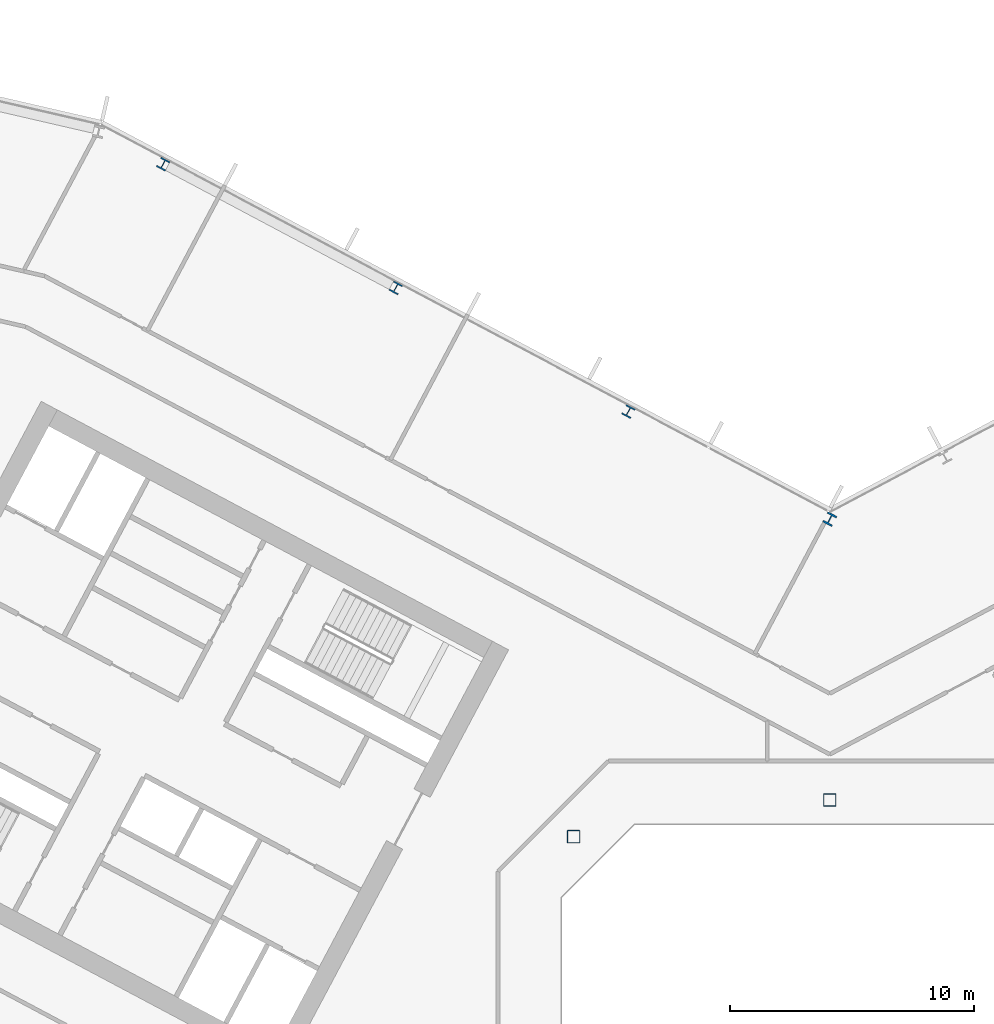
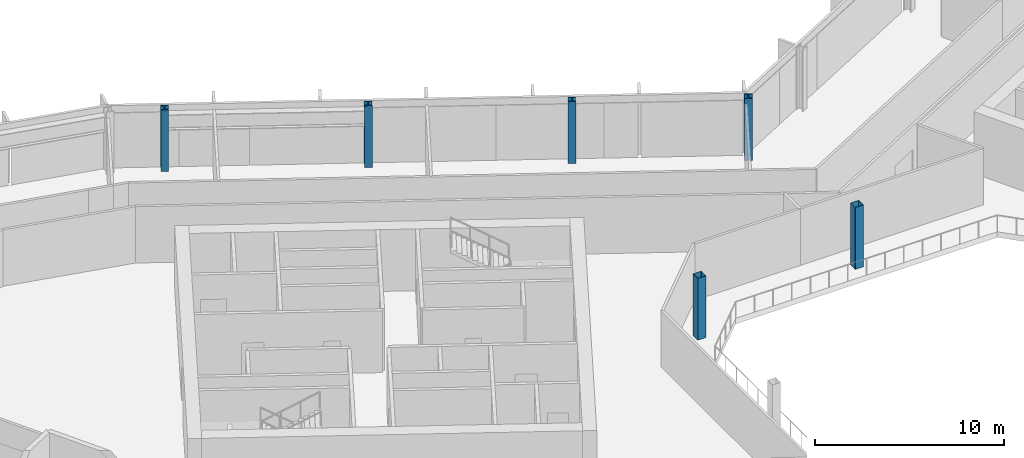
# One storey, part 4 of 28: 6 columns.
"""IFC4 building model written with IfcOpenShell, lengths in metres."""

from ifc_helpers import new_model, si_unit, direction, frame, origin, origin_2d, place, context, subcontext, project, spatial, hollow_rectangle, i_section, extrude, material, material_profile, profile_set, type_object, element, save


model = new_model("IFC4")

# Units and contexts
model_context = context("Model", 3, precision=1e-05, world=origin(), true_north=direction((0.0, 1.0)))
body_context = subcontext(model_context, "Body", "Model", "MODEL_VIEW")
ifc_project = project(units=[si_unit("LENGTHUNIT", "METRE"), si_unit("AREAUNIT", "SQUARE_METRE"), si_unit("VOLUMEUNIT", "CUBIC_METRE"), si_unit("PLANEANGLEUNIT", "RADIAN"), si_unit("MASSUNIT", "GRAM", prefix="KILO")], contexts=[model_context])

# Site, building, storey
site_placement = place(None, origin())
site = spatial("IfcSite", under=ifc_project, at=site_placement, CompositionType="ELEMENT")
building_placement = place(site_placement, origin())
building = spatial("IfcBuilding", under=site, at=building_placement, Name="Cormorant Relay Tower", CompositionType="ELEMENT")
storey_placement = place(building_placement, frame((0.0, 0.0, 162.199951171875)))
storey = spatial("IfcBuildingStorey", under=building, at=storey_placement, Name="L34", CompositionType="ELEMENT", Elevation=162.199951171875)

# Columns
ifc_material_1 = material(Name="Steel ASTM A500 Grade C (Fy 345 MPa)", Category="steel")
ifc_material_profile_1 = material_profile(ifc_material_1, hollow_rectangle(XDim=0.508056640625, YDim=0.508056640625, WallThickness=0.01171875, InnerFilletRadius=0.005859375, OuterFilletRadius=0.017822265625, at=origin_2d()), Name="HSS508x508x12")
ifc_profile_set_1 = profile_set([ifc_material_profile_1], Name="Steel ASTM A500 Grade C (Fy 345 MPa)")
column_type_1 = type_object("IfcColumnType", Name="Column HSS508x508x12", PredefinedType="COLUMN", material=ifc_profile_set_1)
for number, where, z_axis, x_axis, name in (
    (1, (-10.5, 10.5, 0.0), (0.0, 0.0, 1.0), (1.0, 0.0, 0.0), "Column L34-023"),
    (2, (0.0, 12.0, 0.0), (0.0, 0.0, 1.0), (1.0, 0.0, 0.0), "Column L34-025"),
):
    element("IfcColumn", number, at=place(storey_placement, frame(where, z_axis=z_axis, x_axis=x_axis)), inside=storey, type_object=column_type_1, Name=name, PredefinedType="COLUMN", context=body_context, shape_type="SweptSolid", body=[
        extrude(hollow_rectangle(XDim=0.508056640625, YDim=0.508056640625, WallThickness=0.01171875, InnerFilletRadius=0.005859375, OuterFilletRadius=0.017822265625, at=origin_2d()), origin(), (0.0, 0.0, 1.0), 4.0),
    ])
ifc_material_2 = material(Name="Steel ASTM A992 (Fy 345 MPa)", Category="steel")
ifc_material_profile_2 = material_profile(ifc_material_2, i_section(OverallWidth=0.41162109375, OverallDepth=0.434326171875, WebThickness=0.035888671875, FlangeThickness=0.057373046875, FilletRadius=0.01513671875, at=origin_2d()), Name="W360x463")
ifc_profile_set_2 = profile_set([ifc_material_profile_2], Name="Steel ASTM A992 (Fy 345 MPa)")
column_type_2 = type_object("IfcColumnType", Name="Column W360x463", PredefinedType="COLUMN", material=ifc_profile_set_2)
for number, where, z_axis, x_axis, name in (
    (3, (-8.257080078125, 27.925048828125, 0.0), (0.0, 0.0, 1.0), (-0.882947592859, 0.469471562786, 0.0), "Column L34-036"),
    (4, (-17.7919921875, 32.9951171875, 0.0), (0.0, 0.0, 1.0), (-0.882947592859, 0.469471562786, 0.0), "Column L34-040"),
    (5, (-27.327880859375, 38.06494140625, 0.0), (0.0, 0.0, 1.0), (-0.882947592859, 0.469471562786, 0.0), "Column L34-044"),
):
    element("IfcColumn", number, at=place(storey_placement, frame(where, z_axis=z_axis, x_axis=x_axis)), inside=storey, type_object=column_type_2, Name=name, PredefinedType="COLUMN", context=body_context, shape_type="SweptSolid", body=[
        extrude(i_section(OverallWidth=0.41162109375, OverallDepth=0.434326171875, WebThickness=0.035888671875, FlangeThickness=0.057373046875, FilletRadius=0.01513671875, at=origin_2d()), origin(), (0.0, 0.0, 1.0), 4.0),
    ])
ifc_material_3 = material(Name="Steel ASTM A992 (Fy 345 MPa)", Category="steel")
ifc_material_profile_3 = material_profile(ifc_material_3, i_section(OverallWidth=0.42431640625, OverallDepth=0.47509765625, WebThickness=0.0478515625, FlangeThickness=0.0771484375, FilletRadius=0.014892578125, at=origin_2d()), Name="W360x634")
ifc_profile_set_3 = profile_set([ifc_material_profile_3], Name="Steel ASTM A992 (Fy 345 MPa)")
column_type_3 = type_object("IfcColumnType", Name="Column W360x634", PredefinedType="COLUMN", material=ifc_profile_set_3)
column_placement = place(storey_placement, frame((0.0, 23.513916015625, 0.0), z_axis=(0.0, 0.0, 1.0), x_axis=(-0.882947592859, 0.469471562786, 0.0)))
element("IfcColumn", 6, at=column_placement, inside=storey, type_object=column_type_3, Name="Column L34-032", PredefinedType="COLUMN", context=body_context, shape_type="SweptSolid", body=[
    extrude(i_section(OverallWidth=0.42431640625, OverallDepth=0.47509765625, WebThickness=0.0478515625, FlangeThickness=0.0771484375, FilletRadius=0.014892578125, at=origin_2d()), origin(), (0.0, 0.0, 1.0), 4.0),
])

save(model, "model.ifc")
